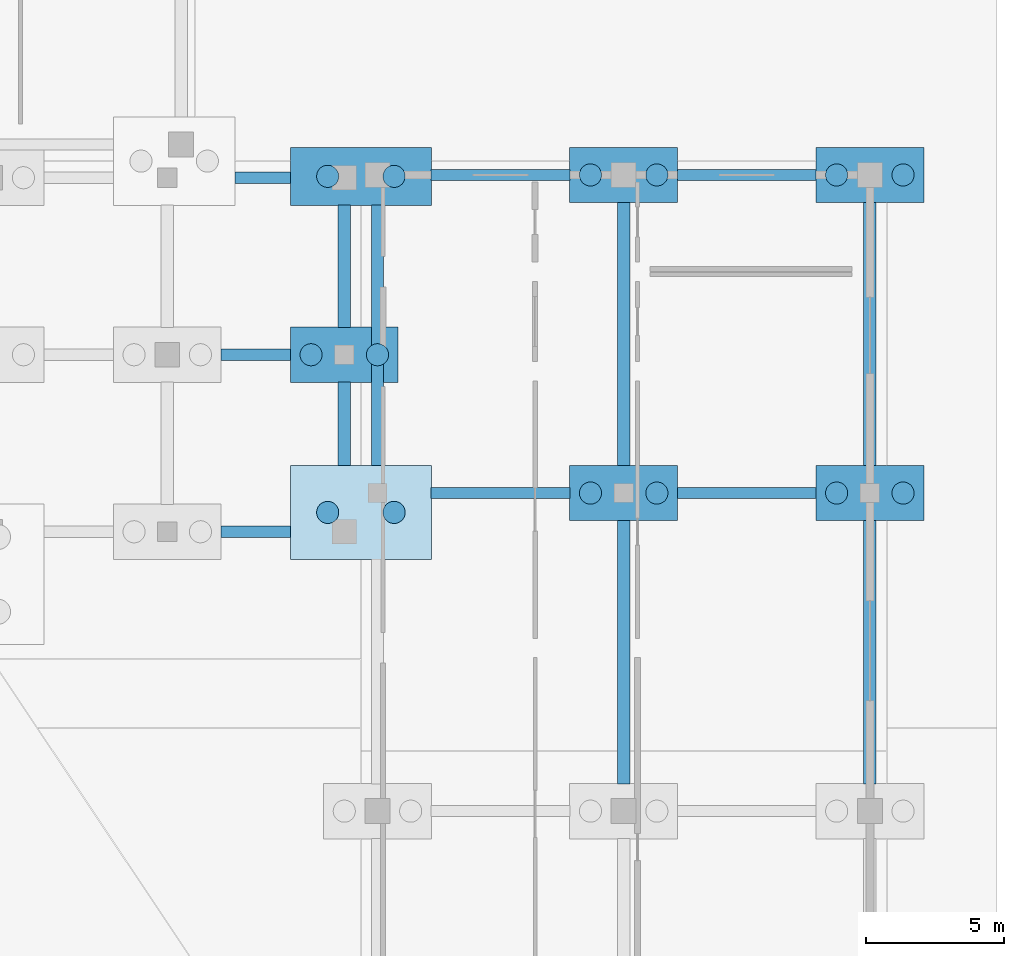
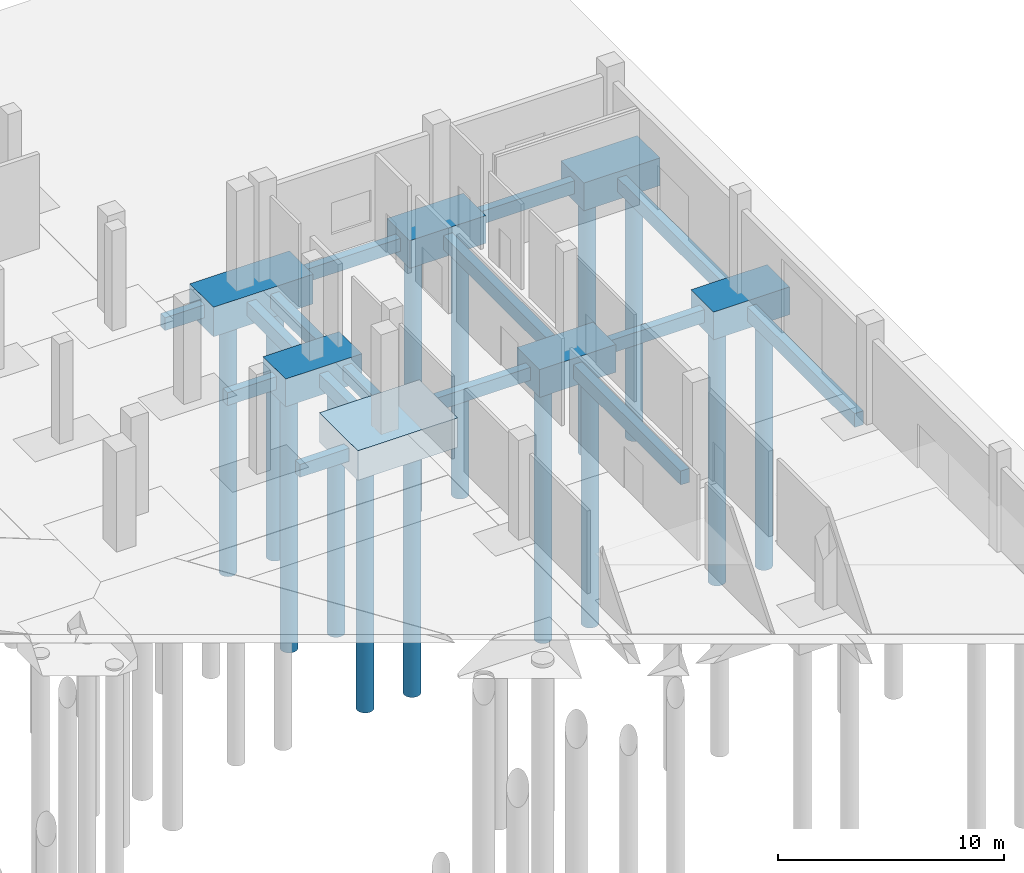
# One storey, part 13 of 68: 21 footings, 14 piles.
"""IFC4 building model written with IfcOpenShell, lengths in metres."""

from ifc_helpers import new_model, si_unit, direction, frame, origin, origin_2d, place, context, subcontext, project, spatial, rectangle, circle, extrude, material, material_profile, profile_set, type_object, element, save


model = new_model("IFC4")

# Units and contexts
model_context = context("Model", 3, precision=1e-05, world=origin(), true_north=direction((0.0, 1.0)))
body_context = subcontext(model_context, "Body", "Model", "MODEL_VIEW")
ifc_project = project(units=[si_unit("LENGTHUNIT", "METRE"), si_unit("AREAUNIT", "SQUARE_METRE"), si_unit("VOLUMEUNIT", "CUBIC_METRE"), si_unit("PLANEANGLEUNIT", "RADIAN"), si_unit("MASSUNIT", "GRAM", prefix="KILO")], contexts=[model_context])

# Site, building, storey
site_placement = place(None, origin())
site = spatial("IfcSite", under=ifc_project, at=site_placement, CompositionType="ELEMENT")
building_placement = place(site_placement, origin())
building = spatial("IfcBuilding", under=site, at=building_placement, Name="Candeia Ridge Stadium", CompositionType="ELEMENT")
storey_placement = place(building_placement, origin())
storey = spatial("IfcBuildingStorey", under=building, at=storey_placement, Name="L00", CompositionType="ELEMENT", Elevation=0.0)

# Piles
ifc_material = material(Name="Concrete C40/50", Category="concrete")
ifc_material_profile = material_profile(ifc_material, circle(Radius=0.39990234375, at=origin_2d()), Name="PILE-D800", Category="concrete")
ifc_profile_set = profile_set([ifc_material_profile], Name="Concrete C40/50")
pile_type = type_object("IfcPileType", Name="Bored Concrete Pile D800", PredefinedType="BORED", material=ifc_profile_set)
for number, where, z_axis, x_axis, name in (
    (1, (191.800048828125, 134.300048828125, -1.39990234375), (0.0, 0.0, -1.0), (1.0, 0.0, 0.0), "Bored concrete foundation pile PILE-0669"),
    (2, (194.199951171875, 134.300048828125, -1.39990234375), (0.0, 0.0, -1.0), (1.0, 0.0, 0.0), "Bored concrete foundation pile PILE-0670"),
    (3, (191.800048828125, 146.449951171875, -1.39990234375), (0.0, 0.0, -1.0), (1.0, 0.0, 0.0), "Bored concrete foundation pile PILE-0671"),
    (4, (194.199951171875, 146.449951171875, -1.39990234375), (0.0, 0.0, -1.0), (1.0, 0.0, 0.0), "Bored concrete foundation pile PILE-0672"),
    (5, (201.300048828125, 135.0, -1.39990234375), (0.0, 0.0, -1.0), (1.0, 0.0, 0.0), "Bored concrete foundation pile PILE-0693"),
    (6, (203.699951171875, 135.0, -1.39990234375), (0.0, 0.0, -1.0), (1.0, 0.0, 0.0), "Bored concrete foundation pile PILE-0694"),
    (7, (201.300048828125, 146.5, -1.39990234375), (0.0, 0.0, -1.0), (1.0, 0.0, 0.0), "Bored concrete foundation pile PILE-0695"),
    (8, (203.699951171875, 146.5, -1.39990234375), (0.0, 0.0, -1.0), (1.0, 0.0, 0.0), "Bored concrete foundation pile PILE-0696"),
    (9, (210.199951171875, 135.0, -1.39990234375), (0.0, 0.0, -1.0), (1.0, 0.0, 0.0), "Bored concrete foundation pile PILE-0717"),
    (10, (212.60009765625, 135.0, -1.39990234375), (0.0, 0.0, -1.0), (1.0, 0.0, 0.0), "Bored concrete foundation pile PILE-0718"),
    (11, (210.199951171875, 146.5, -1.39990234375), (0.0, 0.0, -1.0), (1.0, 0.0, 0.0), "Bored concrete foundation pile PILE-0719"),
    (12, (212.60009765625, 146.5, -1.39990234375), (0.0, 0.0, -1.0), (1.0, 0.0, 0.0), "Bored concrete foundation pile PILE-0720"),
    (13, (191.199951171875, 140.0, -1.39990234375), (0.0, 0.0, -1.0), (1.0, 0.0, 0.0), "Bored concrete foundation pile PILE-0923"),
    (14, (193.60009765625, 140.0, -1.39990234375), (0.0, 0.0, -1.0), (1.0, 0.0, 0.0), "Bored concrete foundation pile PILE-0924"),
):
    element("IfcPile", number, at=place(storey_placement, frame(where, z_axis=z_axis, x_axis=x_axis)), inside=storey, type_object=pile_type, Name=name, PredefinedType="BORED", context=body_context, shape_type="SweptSolid", body=[
        extrude(circle(Radius=0.39990234375, at=origin_2d()), origin(), (0.0, 0.0, 1.0), 14.0),
    ])

# Footings
footing_type_1 = type_object("IfcFootingType", Name="Ground Tie Beam 400x700", PredefinedType="FOOTING_BEAM", material=ifc_material)
for number, where, z_axis, x_axis, name in (
    (15, (198.050048828125, 135.0, -1.0498046875), (0.0, 0.0, 1.0), (1.0, 0.0, 0.0), "Ground tie beam GTB-0253"),
    (16, (198.050048828125, 146.5, -1.0498046875), (0.0, 0.0, 1.0), (1.0, 0.0, 0.0), "Ground tie beam GTB-0254"),
    (17, (206.949951171875, 135.0, -1.0498046875), (0.0, 0.0, 1.0), (1.0, 0.0, 0.0), "Ground tie beam GTB-0276"),
    (18, (206.949951171875, 146.5, -1.0498046875), (0.0, 0.0, 1.0), (1.0, 0.0, 0.0), "Ground tie beam GTB-0277"),
):
    element("IfcFooting", number, at=place(storey_placement, frame(where, z_axis=z_axis, x_axis=x_axis)), inside=storey, type_object=footing_type_1, Name=name, PredefinedType="FOOTING_BEAM", context=body_context, shape_type="SweptSolid", body=[
        extrude(rectangle(XDim=5.02001953125, YDim=0.39990234375, at=origin_2d()), origin(), (0.0, 0.0, 1.0), 0.699951171875),
    ])
for number, where, z_axis, x_axis, name in (
    (19, (189.199951171875, 133.60009765625, -1.0498046875), (0.0, 0.0, 1.0), (1.0, 0.0, 0.0), "Ground tie beam GTB-0479"),
    (20, (189.199951171875, 140.0, -1.0498046875), (0.0, 0.0, 1.0), (1.0, 0.0, 0.0), "Ground tie beam GTB-0481"),
):
    element("IfcFooting", number, at=place(storey_placement, frame(where, z_axis=z_axis, x_axis=x_axis)), inside=storey, type_object=footing_type_1, Name=name, PredefinedType="FOOTING_BEAM", context=body_context, shape_type="SweptSolid", body=[
        extrude(rectangle(XDim=2.52001953125, YDim=0.39990234375, at=origin_2d()), origin(), (0.0, 0.0, 1.0), 0.699951171875),
    ])
footing_1_placement = place(storey_placement, frame((189.449951171875, 146.39990234375, -1.0498046875), z_axis=(0.0, 0.0, 1.0), x_axis=(1.0, 0.0, 0.0)))
element("IfcFooting", 21, at=footing_1_placement, inside=storey, type_object=footing_type_1, Name="Ground tie beam GTB-0482", PredefinedType="FOOTING_BEAM", context=body_context, shape_type="SweptSolid", body=[
    extrude(rectangle(XDim=2.02001953125, YDim=0.39990234375, at=origin_2d()), origin(), (0.0, 0.0, 1.0), 0.699951171875),
])
footing_type_2 = type_object("IfcFootingType", Name="Ground Tie Beam 450x750", PredefinedType="FOOTING_BEAM", material=ifc_material)
footing_2_placement = place(storey_placement, frame((193.60009765625, 140.699951171875, -1.074951171875), z_axis=(0.0, 0.0, 1.0), x_axis=(0.0, 1.0, 0.0)))
element("IfcFooting", 22, at=footing_2_placement, inside=storey, type_object=footing_type_2, Name="Ground tie beam GTB-0252", PredefinedType="FOOTING_BEAM", context=body_context, shape_type="SweptSolid", body=[
    extrude(rectangle(XDim=9.419921875, YDim=0.449951171875, at=origin_2d()), origin(), (0.0, 0.0, 1.0), 0.75),
])
for number, where, z_axis, x_axis, name in (
    (23, (202.5, 129.25, -1.074951171875), (0.0, 0.0, 1.0), (0.0, 1.0, 0.0), "Ground tie beam GTB-0273"),
    (24, (202.5, 140.75, -1.074951171875), (0.0, 0.0, 1.0), (0.0, 1.0, 0.0), "Ground tie beam GTB-0275"),
    (25, (211.39990234375, 129.25, -1.074951171875), (0.0, 0.0, 1.0), (0.0, 1.0, 0.0), "Ground tie beam GTB-0287"),
    (26, (211.39990234375, 140.75, -1.074951171875), (0.0, 0.0, 1.0), (0.0, 1.0, 0.0), "Ground tie beam GTB-0288"),
):
    element("IfcFooting", number, at=place(storey_placement, frame(where, z_axis=z_axis, x_axis=x_axis)), inside=storey, type_object=footing_type_2, Name=name, PredefinedType="FOOTING_BEAM", context=body_context, shape_type="SweptSolid", body=[
        extrude(rectangle(XDim=9.52001953125, YDim=0.449951171875, at=origin_2d()), origin(), (0.0, 0.0, 1.0), 0.75),
    ])
footing_3_placement = place(storey_placement, frame((192.39990234375, 137.5, -1.074951171875), z_axis=(0.0, 0.0, 1.0), x_axis=(0.0, 1.0, 0.0)))
element("IfcFooting", 27, at=footing_3_placement, inside=storey, type_object=footing_type_2, Name="Ground tie beam GTB-0483", PredefinedType="FOOTING_BEAM", context=body_context, shape_type="SweptSolid", body=[
    extrude(rectangle(XDim=3.02001953125, YDim=0.449951171875, at=origin_2d()), origin(), (0.0, 0.0, 1.0), 0.75),
])
footing_4_placement = place(storey_placement, frame((192.39990234375, 143.199951171875, -1.074951171875), z_axis=(0.0, 0.0, 1.0), x_axis=(0.0, 1.0, 0.0)))
element("IfcFooting", 28, at=footing_4_placement, inside=storey, type_object=footing_type_2, Name="Ground tie beam GTB-0484", PredefinedType="FOOTING_BEAM", context=body_context, shape_type="SweptSolid", body=[
    extrude(rectangle(XDim=4.419921875, YDim=0.449951171875, at=origin_2d()), origin(), (0.0, 0.0, 1.0), 0.75),
])
footing_type_3 = type_object("IfcFootingType", Name="Pile Cap 3900x2000x1500", PredefinedType="PILE_CAP", material=ifc_material)
for number, where, z_axis, x_axis, name in (
    (29, (202.5, 135.0, -1.5), (0.0, 0.0, 1.0), (1.0, 0.0, 0.0), "Reinforced concrete pile cap CAP-202"),
    (30, (202.5, 146.5, -1.5), (0.0, 0.0, 1.0), (1.0, 0.0, 0.0), "Reinforced concrete pile cap CAP-203"),
    (31, (211.39990234375, 135.0, -1.5), (0.0, 0.0, 1.0), (1.0, 0.0, 0.0), "Reinforced concrete pile cap CAP-214"),
    (32, (211.39990234375, 146.5, -1.5), (0.0, 0.0, 1.0), (1.0, 0.0, 0.0), "Reinforced concrete pile cap CAP-215"),
    (33, (192.39990234375, 140.0, -1.5), (0.0, 0.0, 1.0), (1.0, 0.0, 0.0), "Reinforced concrete pile cap CAP-317"),
):
    element("IfcFooting", number, at=place(storey_placement, frame(where, z_axis=z_axis, x_axis=x_axis)), inside=storey, type_object=footing_type_3, Name=name, PredefinedType="PILE_CAP", context=body_context, shape_type="SweptSolid", body=[
        extrude(rectangle(XDim=3.89990234375, YDim=2.0, at=origin_2d()), origin(), (0.0, 0.0, 1.0), 1.5),
    ])
footing_type_4 = type_object("IfcFootingType", Name="Pile Cap 5400x4200x1600", PredefinedType="PILE_CAP", material=ifc_material)
footing_5_placement = place(storey_placement, frame((193.0, 134.300048828125, -1.60009765625), z_axis=(0.0, 0.0, 1.0), x_axis=(1.0, 0.0, 0.0)))
element("IfcFooting", 34, at=footing_5_placement, inside=storey, type_object=footing_type_4, Name="Reinforced concrete pile cap CAP-190", PredefinedType="PILE_CAP", context=body_context, shape_type="SweptSolid", body=[
    extrude(rectangle(XDim=5.10009765625, YDim=3.39990234375, at=origin_2d()), origin(), (0.0, 0.0, 1.0), 1.60009765625),
])
footing_6_placement = place(storey_placement, frame((193.0, 146.449951171875, -1.60009765625), z_axis=(0.0, 0.0, 1.0), x_axis=(1.0, 0.0, 0.0)))
element("IfcFooting", 35, at=footing_6_placement, inside=storey, type_object=footing_type_4, Name="Reinforced concrete pile cap CAP-191", PredefinedType="PILE_CAP", context=body_context, shape_type="SweptSolid", body=[
    extrude(rectangle(XDim=5.10009765625, YDim=2.10009765625, at=origin_2d()), origin(), (0.0, 0.0, 1.0), 1.60009765625),
])

save(model, "model.ifc")
